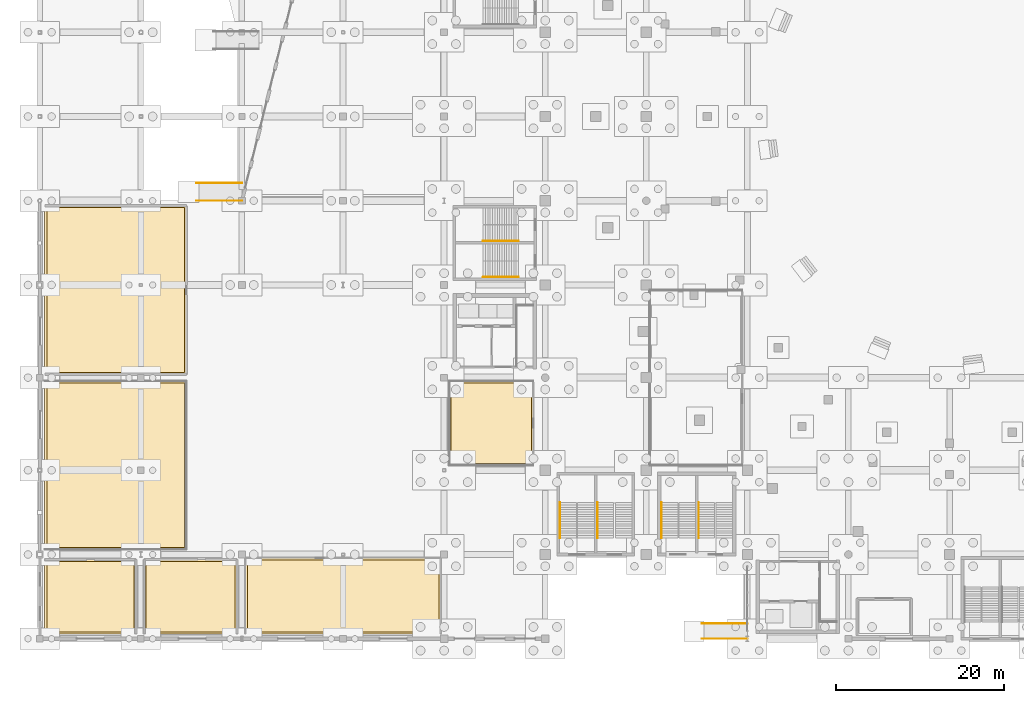
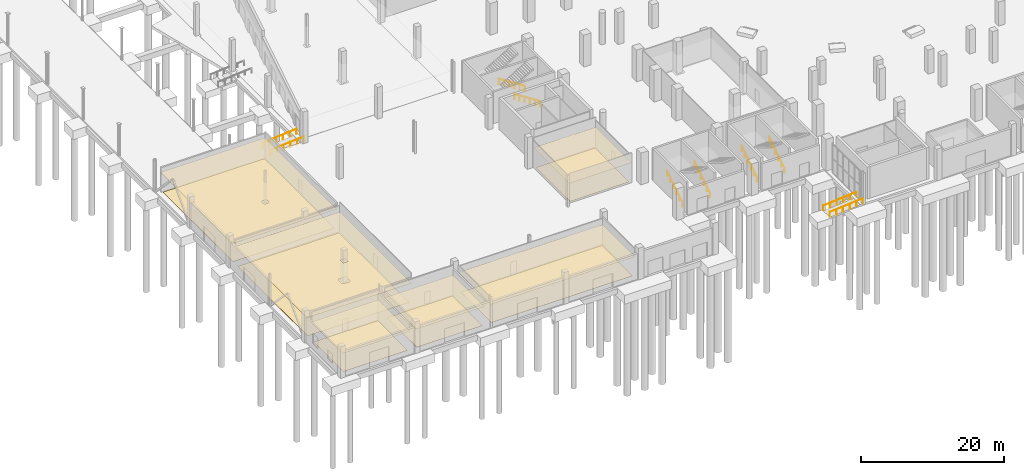
# One storey, part 63 of 70: 12 coverings, 10 railings.
"""IFC4 building model written with IfcOpenShell, lengths in metres."""

from ifc_helpers import new_model, si_unit, direction, frame, origin, origin_2d, place, context, subcontext, project, spatial, polyline, circle, outline, extrude, material, layer, layer_set, type_object, element, save


model = new_model("IFC4")

# Units and contexts
model_context = context("Model", 3, precision=1e-05, world=origin(), true_north=direction((0.0, 1.0)))
body_context = subcontext(model_context, "Body", "Model", "MODEL_VIEW")
ifc_project = project(units=[si_unit("LENGTHUNIT", "METRE"), si_unit("AREAUNIT", "SQUARE_METRE"), si_unit("VOLUMEUNIT", "CUBIC_METRE"), si_unit("PLANEANGLEUNIT", "RADIAN"), si_unit("MASSUNIT", "GRAM", prefix="KILO")], contexts=[model_context])

# Site, building, storey
site_placement = place(None, origin())
site = spatial("IfcSite", under=ifc_project, at=site_placement, CompositionType="ELEMENT")
building_placement = place(site_placement, origin())
building = spatial("IfcBuilding", under=site, at=building_placement, Name="Brinegate Civic Arena", CompositionType="ELEMENT")
storey_placement = place(building_placement, origin())
storey = spatial("IfcBuildingStorey", under=building, at=storey_placement, Name="L00", CompositionType="ELEMENT", Elevation=0.0)

# Coverings
ifc_material_1 = material(Name="Acoustic perforated aluminium ceiling", Category="aluminium")
ifc_layer_1 = layer(ifc_material_1, 0.02490234375, Name="Acoustic perforated aluminium ceiling")
ifc_layer_set_1 = layer_set([ifc_layer_1], Name="Acoustic perforated aluminium ceiling")
covering_type_1 = type_object("IfcCoveringType", Name="CEILING-ACOUSTIC-25", PredefinedType="CEILING", material=ifc_layer_set_1)
covering_1_placement = place(storey_placement, frame((0.0, 0.0, 3.324951171875)))
element("IfcCovering", 1, at=covering_1_placement, inside=storey, type_object=covering_type_1, Name="Acoustic Ceiling L00-013", PredefinedType="CEILING", context=body_context, shape_type="SweptSolid", body=[
    extrude(outline(polyline([(58.60400390625, 30.6201171875), (58.60595703125, 30.618896484375), (58.60791015625, 30.617919921875), (58.60888671875, 30.617919921875), (58.611083984375, 30.616943359375), (58.613037109375, 30.614990234375), (58.614013671875, 30.614013671875), (58.614990234375, 30.613037109375), (58.616943359375, 30.611083984375), (58.617919921875, 30.60888671875), (58.617919921875, 30.60791015625), (58.618896484375, 30.60595703125), (58.6201171875, 30.60400390625), (58.6201171875, 30.60205078125), (58.6201171875, 30.60009765625), (58.6201171875, 20.60009765625), (58.6201171875, 20.597900390625), (58.6201171875, 20.595947265625), (58.618896484375, 20.593994140625), (58.617919921875, 20.592041015625), (58.617919921875, 20.591064453125), (58.616943359375, 20.589111328125), (58.614990234375, 20.5869140625), (58.614013671875, 20.5859375), (58.613037109375, 20.5849609375), (58.611083984375, 20.5830078125), (58.60888671875, 20.58203125), (58.60791015625, 20.58203125), (58.60595703125, 20.5810546875), (58.60400390625, 20.580078125), (58.60205078125, 20.580078125), (58.60009765625, 20.580078125), (48.60009765625, 20.580078125), (48.597900390625, 20.580078125), (48.595947265625, 20.580078125), (48.593994140625, 20.5810546875), (48.592041015625, 20.58203125), (48.591064453125, 20.58203125), (48.589111328125, 20.5830078125), (48.5869140625, 20.5849609375), (48.5859375, 20.5859375), (48.5849609375, 20.5869140625), (48.5830078125, 20.589111328125), (48.58203125, 20.591064453125), (48.58203125, 20.592041015625), (48.5810546875, 20.593994140625), (48.580078125, 20.595947265625), (48.580078125, 20.597900390625), (48.580078125, 20.60009765625), (48.580078125, 30.60009765625), (48.580078125, 30.60205078125), (48.580078125, 30.60400390625), (48.5810546875, 30.60595703125), (48.58203125, 30.60791015625), (48.58203125, 30.60888671875), (48.5830078125, 30.611083984375), (48.5849609375, 30.613037109375), (48.5859375, 30.614013671875), (48.5869140625, 30.614990234375), (48.589111328125, 30.616943359375), (48.591064453125, 30.617919921875), (48.592041015625, 30.617919921875), (48.593994140625, 30.618896484375), (48.595947265625, 30.6201171875), (48.597900390625, 30.6201171875), (48.60009765625, 30.6201171875), (58.60009765625, 30.6201171875), (58.60205078125, 30.6201171875), (58.60400390625, 30.6201171875)])), origin(), (0.0, 0.0, 1.0), 0.025146484375),
])
covering_2_placement = place(storey_placement, frame((0.0, 0.0, 3.324951171875)))
element("IfcCovering", 2, at=covering_2_placement, inside=storey, type_object=covering_type_1, Name="Acoustic Ceiling L00-018", PredefinedType="CEILING", context=body_context, shape_type="SweptSolid", body=[
    extrude(outline(polyline([(23.404052734375, 9.419921875), (23.406005859375, 9.4189453125), (23.407958984375, 9.41796875), (23.408935546875, 9.41796875), (23.410888671875, 9.4169921875), (23.4130859375, 9.4150390625), (23.4140625, 9.4140625), (23.4150390625, 9.4130859375), (23.4169921875, 9.410888671875), (23.41796875, 9.408935546875), (23.41796875, 9.407958984375), (23.4189453125, 9.406005859375), (23.419921875, 9.404052734375), (23.419921875, 9.402099609375), (23.419921875, 9.39990234375), (23.419921875, 0.60009765625), (23.419921875, 0.597900390625), (23.419921875, 0.595947265625), (23.4189453125, 0.593994140625), (23.41796875, 0.592041015625), (23.41796875, 0.591064453125), (23.4169921875, 0.589111328125), (23.4150390625, 0.5869140625), (23.4140625, 0.5859375), (23.4130859375, 0.5849609375), (23.410888671875, 0.5830078125), (23.408935546875, 0.58203125), (23.407958984375, 0.58203125), (23.406005859375, 0.5810546875), (23.404052734375, 0.580078125), (23.402099609375, 0.580078125), (23.39990234375, 0.580078125), (12.39990234375, 0.580078125), (12.39794921875, 0.580078125), (12.39599609375, 0.580078125), (12.39404296875, 0.5810546875), (12.39208984375, 0.58203125), (12.39111328125, 0.58203125), (12.388916015625, 0.5830078125), (12.386962890625, 0.5849609375), (12.385986328125, 0.5859375), (12.385009765625, 0.5869140625), (12.383056640625, 0.589111328125), (12.382080078125, 0.591064453125), (12.382080078125, 0.592041015625), (12.381103515625, 0.593994140625), (12.3798828125, 0.595947265625), (12.3798828125, 0.597900390625), (12.3798828125, 0.60009765625), (12.3798828125, 9.39990234375), (12.3798828125, 9.402099609375), (12.3798828125, 9.404052734375), (12.381103515625, 9.406005859375), (12.382080078125, 9.407958984375), (12.382080078125, 9.408935546875), (12.383056640625, 9.410888671875), (12.385009765625, 9.4130859375), (12.385986328125, 9.4140625), (12.386962890625, 9.4150390625), (12.388916015625, 9.4169921875), (12.39111328125, 9.41796875), (12.39208984375, 9.41796875), (12.39404296875, 9.4189453125), (12.39599609375, 9.419921875), (12.39794921875, 9.419921875), (12.39990234375, 9.419921875), (23.39990234375, 9.419921875), (23.402099609375, 9.419921875), (23.404052734375, 9.419921875)])), origin(), (0.0, 0.0, 1.0), 0.025146484375),
])
covering_3_placement = place(storey_placement, frame((0.0, 0.0, 3.324951171875)))
element("IfcCovering", 3, at=covering_3_placement, inside=storey, type_object=covering_type_1, Name="Acoustic Ceiling L00-022", PredefinedType="CEILING", context=body_context, shape_type="SweptSolid", body=[
    extrude(outline(polyline([(47.6201171875, 0.597900390625), (47.6201171875, 0.595947265625), (47.618896484375, 0.593994140625), (47.617919921875, 0.592041015625), (47.617919921875, 0.591064453125), (47.616943359375, 0.589111328125), (47.614990234375, 0.5869140625), (47.614013671875, 0.5859375), (47.613037109375, 0.5849609375), (47.611083984375, 0.5830078125), (47.60888671875, 0.58203125), (47.60791015625, 0.58203125), (47.60595703125, 0.5810546875), (47.60400390625, 0.580078125), (47.60205078125, 0.580078125), (47.60009765625, 0.580078125), (24.39990234375, 0.580078125), (24.39794921875, 0.580078125), (24.39599609375, 0.580078125), (24.39404296875, 0.5810546875), (24.39208984375, 0.58203125), (24.39111328125, 0.58203125), (24.388916015625, 0.5830078125), (24.386962890625, 0.5849609375), (24.385986328125, 0.5859375), (24.385009765625, 0.5869140625), (24.383056640625, 0.589111328125), (24.382080078125, 0.591064453125), (24.382080078125, 0.592041015625), (24.381103515625, 0.593994140625), (24.3798828125, 0.595947265625), (24.3798828125, 0.597900390625), (24.3798828125, 0.60009765625), (24.3798828125, 9.590087890625), (24.409912109375, 9.590087890625), (24.409912109375, 9.6201171875), (47.590087890625, 9.6201171875), (47.590087890625, 9.590087890625), (47.6201171875, 9.590087890625), (47.6201171875, 0.60009765625), (47.6201171875, 0.597900390625)])), origin(), (0.0, 0.0, 1.0), 0.025146484375),
])
ifc_layer_2 = layer(ifc_material_1, 0.034912109375, Name="Acoustic perforated aluminium ceiling")
ifc_layer_set_2 = layer_set([ifc_layer_2], Name="Acoustic perforated aluminium ceiling")
covering_type_2 = type_object("IfcCoveringType", Name="CEILING-ACOUSTIC-35", PredefinedType="CEILING", material=ifc_layer_set_2)
covering_4_placement = place(storey_placement, frame((0.0, 0.0, 3.31494140625)))
element("IfcCovering", 4, at=covering_4_placement, inside=storey, type_object=covering_type_2, Name="Acoustic Ceiling L00-015", PredefinedType="CEILING", context=body_context, shape_type="SweptSolid", body=[
    extrude(outline(polyline([(17.404052734375, 30.6201171875), (17.406005859375, 30.618896484375), (17.407958984375, 30.617919921875), (17.408935546875, 30.617919921875), (17.410888671875, 30.616943359375), (17.4130859375, 30.614990234375), (17.4140625, 30.614013671875), (17.4150390625, 30.613037109375), (17.4169921875, 30.611083984375), (17.41796875, 30.60888671875), (17.41796875, 30.60791015625), (17.4189453125, 30.60595703125), (17.419921875, 30.60400390625), (17.419921875, 30.60205078125), (17.419921875, 30.60009765625), (17.419921875, 10.60009765625), (17.419921875, 10.597900390625), (17.419921875, 10.595947265625), (17.4189453125, 10.593994140625), (17.41796875, 10.592041015625), (17.41796875, 10.591064453125), (17.4169921875, 10.589111328125), (17.4150390625, 10.5869140625), (17.4140625, 10.5859375), (17.4130859375, 10.5849609375), (17.410888671875, 10.5830078125), (17.408935546875, 10.58203125), (17.407958984375, 10.58203125), (17.406005859375, 10.5810546875), (17.404052734375, 10.580078125), (17.402099609375, 10.580078125), (17.39990234375, 10.580078125), (0.60009765625, 10.580078125), (0.597900390625, 10.580078125), (0.595947265625, 10.580078125), (0.593994140625, 10.5810546875), (0.592041015625, 10.58203125), (0.591064453125, 10.58203125), (0.589111328125, 10.5830078125), (0.5869140625, 10.5849609375), (0.5859375, 10.5859375), (0.5849609375, 10.5869140625), (0.5830078125, 10.589111328125), (0.58203125, 10.591064453125), (0.58203125, 10.592041015625), (0.5810546875, 10.593994140625), (0.580078125, 10.595947265625), (0.580078125, 10.597900390625), (0.580078125, 10.60009765625), (0.580078125, 30.60009765625), (0.580078125, 30.60205078125), (0.580078125, 30.60400390625), (0.5810546875, 30.60595703125), (0.58203125, 30.60791015625), (0.58203125, 30.60888671875), (0.5830078125, 30.611083984375), (0.5849609375, 30.613037109375), (0.5859375, 30.614013671875), (0.5869140625, 30.614990234375), (0.589111328125, 30.616943359375), (0.591064453125, 30.617919921875), (0.592041015625, 30.617919921875), (0.593994140625, 30.618896484375), (0.595947265625, 30.6201171875), (0.597900390625, 30.6201171875), (0.60009765625, 30.6201171875), (11.590087890625, 30.6201171875), (11.590087890625, 30.590087890625), (12.409912109375, 30.590087890625), (12.409912109375, 30.6201171875), (17.39990234375, 30.6201171875), (17.402099609375, 30.6201171875), (17.404052734375, 30.6201171875)]), holes=[polyline([(12.409912109375, 20.409912109375), (11.590087890625, 20.409912109375), (11.590087890625, 19.590087890625), (12.409912109375, 19.590087890625), (12.409912109375, 20.409912109375)])]), origin(), (0.0, 0.0, 1.0), 0.03515625),
])
ifc_layer_3 = layer(ifc_material_1, 0.044921875, Name="Acoustic perforated aluminium ceiling")
ifc_layer_set_3 = layer_set([ifc_layer_3], Name="Acoustic perforated aluminium ceiling")
covering_type_3 = type_object("IfcCoveringType", Name="CEILING-BAFFLE-45", PredefinedType="CEILING", material=ifc_layer_set_3)
covering_5_placement = place(storey_placement, frame((0.0, 0.0, 3.304931640625)))
element("IfcCovering", 5, at=covering_5_placement, inside=storey, type_object=covering_type_3, Name="Acoustic Ceiling L00-016", PredefinedType="CEILING", context=body_context, shape_type="SweptSolid", body=[
    extrude(outline(polyline([(17.404052734375, 51.419921875), (17.406005859375, 51.4189453125), (17.407958984375, 51.41796875), (17.408935546875, 51.41796875), (17.410888671875, 51.4169921875), (17.4130859375, 51.4150390625), (17.4140625, 51.4140625), (17.4150390625, 51.4130859375), (17.4169921875, 51.410888671875), (17.41796875, 51.408935546875), (17.41796875, 51.407958984375), (17.4189453125, 51.406005859375), (17.419921875, 51.404052734375), (17.419921875, 51.402099609375), (17.419921875, 51.39990234375), (17.419921875, 31.39990234375), (17.419921875, 31.39794921875), (17.419921875, 31.39599609375), (17.4189453125, 31.39404296875), (17.41796875, 31.39208984375), (17.41796875, 31.39111328125), (17.4169921875, 31.388916015625), (17.4150390625, 31.386962890625), (17.4140625, 31.385986328125), (17.4130859375, 31.385009765625), (17.410888671875, 31.383056640625), (17.408935546875, 31.382080078125), (17.407958984375, 31.382080078125), (17.406005859375, 31.381103515625), (17.404052734375, 31.3798828125), (17.402099609375, 31.3798828125), (17.39990234375, 31.3798828125), (12.409912109375, 31.3798828125), (12.409912109375, 31.409912109375), (11.590087890625, 31.409912109375), (11.590087890625, 31.3798828125), (0.60009765625, 31.3798828125), (0.597900390625, 31.3798828125), (0.595947265625, 31.3798828125), (0.593994140625, 31.381103515625), (0.592041015625, 31.382080078125), (0.591064453125, 31.382080078125), (0.589111328125, 31.383056640625), (0.5869140625, 31.385009765625), (0.5859375, 31.385986328125), (0.5849609375, 31.386962890625), (0.5830078125, 31.388916015625), (0.58203125, 31.39111328125), (0.58203125, 31.39208984375), (0.5810546875, 31.39404296875), (0.580078125, 31.39599609375), (0.580078125, 31.39794921875), (0.580078125, 31.39990234375), (0.580078125, 51.39990234375), (0.580078125, 51.402099609375), (0.580078125, 51.404052734375), (0.5810546875, 51.406005859375), (0.58203125, 51.407958984375), (0.58203125, 51.408935546875), (0.5830078125, 51.410888671875), (0.5849609375, 51.4130859375), (0.5859375, 51.4140625), (0.5869140625, 51.4150390625), (0.589111328125, 51.4169921875), (0.591064453125, 51.41796875), (0.592041015625, 51.41796875), (0.593994140625, 51.4189453125), (0.595947265625, 51.419921875), (0.597900390625, 51.419921875), (0.60009765625, 51.419921875), (17.39990234375, 51.419921875), (17.402099609375, 51.419921875), (17.404052734375, 51.419921875)])), origin(), (0.0, 0.0, 1.0), 0.045166015625),
])
ifc_layer_4 = layer(ifc_material_1, 0.01806640625, Name="Acoustic perforated aluminium ceiling")
ifc_layer_set_4 = layer_set([ifc_layer_4], Name="Acoustic perforated aluminium ceiling")
covering_type_4 = type_object("IfcCoveringType", Name="CEILING-MOISTURE-18", PredefinedType="CEILING", material=ifc_layer_set_4)
covering_6_placement = place(storey_placement, frame((0.0, 0.0, 3.33203125)))
element("IfcCovering", 6, at=covering_6_placement, inside=storey, type_object=covering_type_4, Name="Acoustic Ceiling L00-017", PredefinedType="CEILING", context=body_context, shape_type="SweptSolid", body=[
    extrude(outline(polyline([(11.404052734375, 9.419921875), (11.406005859375, 9.4189453125), (11.407958984375, 9.41796875), (11.408935546875, 9.41796875), (11.410888671875, 9.4169921875), (11.4130859375, 9.4150390625), (11.4140625, 9.4140625), (11.4150390625, 9.4130859375), (11.4169921875, 9.410888671875), (11.41796875, 9.408935546875), (11.41796875, 9.407958984375), (11.4189453125, 9.406005859375), (11.419921875, 9.404052734375), (11.419921875, 9.402099609375), (11.419921875, 9.39990234375), (11.419921875, 0.60009765625), (11.419921875, 0.597900390625), (11.419921875, 0.595947265625), (11.4189453125, 0.593994140625), (11.41796875, 0.592041015625), (11.41796875, 0.591064453125), (11.4169921875, 0.589111328125), (11.4150390625, 0.5869140625), (11.4140625, 0.5859375), (11.4130859375, 0.5849609375), (11.410888671875, 0.5830078125), (11.408935546875, 0.58203125), (11.407958984375, 0.58203125), (11.406005859375, 0.5810546875), (11.404052734375, 0.580078125), (11.402099609375, 0.580078125), (11.39990234375, 0.580078125), (0.60009765625, 0.580078125), (0.597900390625, 0.580078125), (0.595947265625, 0.580078125), (0.593994140625, 0.5810546875), (0.592041015625, 0.58203125), (0.591064453125, 0.58203125), (0.589111328125, 0.5830078125), (0.5869140625, 0.5849609375), (0.5859375, 0.5859375), (0.5849609375, 0.5869140625), (0.5830078125, 0.589111328125), (0.58203125, 0.591064453125), (0.58203125, 0.592041015625), (0.5810546875, 0.593994140625), (0.580078125, 0.595947265625), (0.580078125, 0.597900390625), (0.580078125, 0.60009765625), (0.580078125, 9.39990234375), (0.580078125, 9.402099609375), (0.580078125, 9.404052734375), (0.5810546875, 9.406005859375), (0.58203125, 9.407958984375), (0.58203125, 9.408935546875), (0.5830078125, 9.410888671875), (0.5849609375, 9.4130859375), (0.5859375, 9.4140625), (0.5869140625, 9.4150390625), (0.589111328125, 9.4169921875), (0.591064453125, 9.41796875), (0.592041015625, 9.41796875), (0.593994140625, 9.4189453125), (0.595947265625, 9.419921875), (0.597900390625, 9.419921875), (0.60009765625, 9.419921875), (11.39990234375, 9.419921875), (11.402099609375, 9.419921875), (11.404052734375, 9.419921875)])), origin(), (0.0, 0.0, 1.0), 0.01806640625),
])
ifc_material_2 = material(Name="Polished coral terrazzo flooring")
ifc_layer_5 = layer(ifc_material_2, 0.013916015625, Name="Polished coral terrazzo flooring")
ifc_layer_set_5 = layer_set([ifc_layer_5], Name="Polished coral terrazzo flooring")
covering_type_5 = type_object("IfcCoveringType", Name="FLOORING-ACOUSTIC-14", PredefinedType="FLOORING", material=ifc_layer_set_5)
covering_7_placement = place(storey_placement, origin())
element("IfcCovering", 7, at=covering_7_placement, inside=storey, type_object=covering_type_5, Name="Flooring L00-015", PredefinedType="FLOORING", context=body_context, shape_type="SweptSolid", body=[
    extrude(outline(polyline([(0.830078125, 30.3701171875), (11.470947265625, 30.3701171875), (11.471923828125, 30.3701171875), (11.493896484375, 30.35888671875), (11.51708984375, 30.35107421875), (11.541015625, 30.344970703125), (11.56494140625, 30.341064453125), (11.590087890625, 30.340087890625), (12.409912109375, 30.340087890625), (12.43505859375, 30.341064453125), (12.458984375, 30.344970703125), (12.48291015625, 30.35107421875), (12.506103515625, 30.35888671875), (12.528076171875, 30.3701171875), (12.529052734375, 30.3701171875), (17.169921875, 30.3701171875), (17.169921875, 10.830078125), (0.830078125, 10.830078125), (0.830078125, 30.3701171875)]), holes=[polyline([(12.659912109375, 20.409912109375), (12.658935546875, 20.43505859375), (12.655029296875, 20.458984375), (12.64892578125, 20.48291015625), (12.64111328125, 20.506103515625), (12.6298828125, 20.528076171875), (12.617919921875, 20.549072265625), (12.60302734375, 20.569091796875), (12.5869140625, 20.5869140625), (12.569091796875, 20.60302734375), (12.549072265625, 20.617919921875), (12.528076171875, 20.6298828125), (12.506103515625, 20.64111328125), (12.48291015625, 20.64892578125), (12.458984375, 20.655029296875), (12.43505859375, 20.658935546875), (12.409912109375, 20.659912109375), (11.590087890625, 20.659912109375), (11.56494140625, 20.658935546875), (11.541015625, 20.655029296875), (11.51708984375, 20.64892578125), (11.493896484375, 20.64111328125), (11.471923828125, 20.6298828125), (11.450927734375, 20.617919921875), (11.430908203125, 20.60302734375), (11.4130859375, 20.5869140625), (11.39697265625, 20.569091796875), (11.382080078125, 20.549072265625), (11.3701171875, 20.528076171875), (11.35888671875, 20.506103515625), (11.35107421875, 20.48291015625), (11.344970703125, 20.458984375), (11.341064453125, 20.43505859375), (11.340087890625, 20.409912109375), (11.340087890625, 19.590087890625), (11.341064453125, 19.56494140625), (11.344970703125, 19.541015625), (11.35107421875, 19.51708984375), (11.35888671875, 19.493896484375), (11.3701171875, 19.471923828125), (11.382080078125, 19.450927734375), (11.39697265625, 19.430908203125), (11.4130859375, 19.4130859375), (11.430908203125, 19.39697265625), (11.450927734375, 19.382080078125), (11.471923828125, 19.3701171875), (11.493896484375, 19.35888671875), (11.51708984375, 19.35107421875), (11.541015625, 19.344970703125), (11.56494140625, 19.341064453125), (11.590087890625, 19.340087890625), (12.409912109375, 19.340087890625), (12.43505859375, 19.341064453125), (12.458984375, 19.344970703125), (12.48291015625, 19.35107421875), (12.506103515625, 19.35888671875), (12.528076171875, 19.3701171875), (12.549072265625, 19.382080078125), (12.569091796875, 19.39697265625), (12.5869140625, 19.4130859375), (12.60302734375, 19.430908203125), (12.617919921875, 19.450927734375), (12.6298828125, 19.471923828125), (12.64111328125, 19.493896484375), (12.64892578125, 19.51708984375), (12.655029296875, 19.541015625), (12.658935546875, 19.56494140625), (12.659912109375, 19.590087890625), (12.659912109375, 20.409912109375)])]), origin(), (0.0, 0.0, 1.0), 0.013916015625),
])
ifc_material_3 = material(Name="Slip-resistant porcelain tile flooring")
ifc_layer_6 = layer(ifc_material_3, 0.02001953125, Name="Slip-resistant porcelain tile flooring")
ifc_layer_set_6 = layer_set([ifc_layer_6], Name="Slip-resistant porcelain tile flooring")
covering_type_6 = type_object("IfcCoveringType", Name="FLOORING-PORCELAIN-20", PredefinedType="FLOORING", material=ifc_layer_set_6)
covering_8_placement = place(storey_placement, origin())
element("IfcCovering", 8, at=covering_8_placement, inside=storey, type_object=covering_type_6, Name="Flooring L00-017", PredefinedType="FLOORING", context=body_context, shape_type="SweptSolid", body=[
    extrude(outline(polyline([(0.830078125, 9.169921875), (11.169921875, 9.169921875), (11.169921875, 0.830078125), (0.830078125, 0.830078125), (0.830078125, 9.169921875)])), origin(), (0.0, 0.0, 1.0), 0.02001953125),
])
covering_9_placement = place(storey_placement, origin())
element("IfcCovering", 9, at=covering_9_placement, inside=storey, type_object=covering_type_6, Name="Flooring L00-018", PredefinedType="FLOORING", context=body_context, shape_type="SweptSolid", body=[
    extrude(outline(polyline([(12.6298828125, 9.169921875), (23.169921875, 9.169921875), (23.169921875, 0.830078125), (12.6298828125, 0.830078125), (12.6298828125, 9.169921875)])), origin(), (0.0, 0.0, 1.0), 0.02001953125),
])
ifc_layer_7 = layer(ifc_material_2, 0.028076171875, Name="Polished coral terrazzo flooring")
ifc_layer_set_7 = layer_set([ifc_layer_7], Name="Polished coral terrazzo flooring")
covering_type_7 = type_object("IfcCoveringType", Name="FLOORING-TERRAZZO-28", PredefinedType="FLOORING", material=ifc_layer_set_7)
covering_10_placement = place(storey_placement, origin())
element("IfcCovering", 10, at=covering_10_placement, inside=storey, type_object=covering_type_7, Name="Flooring L00-013", PredefinedType="FLOORING", context=body_context, shape_type="SweptSolid", body=[
    extrude(outline(polyline([(48.830078125, 20.830078125), (48.830078125, 30.3701171875), (58.3701171875, 30.3701171875), (58.3701171875, 20.830078125), (48.830078125, 20.830078125)])), origin(), (0.0, 0.0, 1.0), 0.028076171875),
])
covering_11_placement = place(storey_placement, origin())
element("IfcCovering", 11, at=covering_11_placement, inside=storey, type_object=covering_type_7, Name="Flooring L00-016", PredefinedType="FLOORING", context=body_context, shape_type="SweptSolid", body=[
    extrude(outline(polyline([(0.830078125, 31.6298828125), (0.830078125, 51.169921875), (17.169921875, 51.169921875), (17.169921875, 31.6298828125), (12.529052734375, 31.6298828125), (12.528076171875, 31.6298828125), (12.506103515625, 31.64111328125), (12.48291015625, 31.64892578125), (12.458984375, 31.655029296875), (12.43505859375, 31.658935546875), (12.409912109375, 31.659912109375), (11.590087890625, 31.659912109375), (11.56494140625, 31.658935546875), (11.541015625, 31.655029296875), (11.51708984375, 31.64892578125), (11.493896484375, 31.64111328125), (11.471923828125, 31.6298828125), (11.470947265625, 31.6298828125), (0.830078125, 31.6298828125)]), holes=[polyline([(12.43505859375, 42.18505859375), (12.43408203125, 42.2099609375), (12.429931640625, 42.23388671875), (12.424072265625, 42.258056640625), (12.416015625, 42.281005859375), (12.405029296875, 42.302978515625), (12.39306640625, 42.323974609375), (12.3779296875, 42.343994140625), (12.362060546875, 42.362060546875), (12.343994140625, 42.3779296875), (12.323974609375, 42.39306640625), (12.302978515625, 42.405029296875), (12.281005859375, 42.416015625), (12.258056640625, 42.424072265625), (12.23388671875, 42.429931640625), (12.2099609375, 42.43408203125), (12.18505859375, 42.43505859375), (11.81494140625, 42.43505859375), (11.7900390625, 42.43408203125), (11.76611328125, 42.429931640625), (11.741943359375, 42.424072265625), (11.718994140625, 42.416015625), (11.697021484375, 42.405029296875), (11.676025390625, 42.39306640625), (11.656005859375, 42.3779296875), (11.637939453125, 42.362060546875), (11.6220703125, 42.343994140625), (11.60693359375, 42.323974609375), (11.594970703125, 42.302978515625), (11.583984375, 42.281005859375), (11.575927734375, 42.258056640625), (11.570068359375, 42.23388671875), (11.56591796875, 42.2099609375), (11.56494140625, 42.18505859375), (11.56494140625, 41.81494140625), (11.56591796875, 41.7900390625), (11.570068359375, 41.76611328125), (11.575927734375, 41.741943359375), (11.583984375, 41.718994140625), (11.594970703125, 41.697021484375), (11.60693359375, 41.676025390625), (11.6220703125, 41.656005859375), (11.637939453125, 41.637939453125), (11.656005859375, 41.6220703125), (11.676025390625, 41.60693359375), (11.697021484375, 41.594970703125), (11.718994140625, 41.583984375), (11.741943359375, 41.575927734375), (11.76611328125, 41.570068359375), (11.7900390625, 41.56591796875), (11.81494140625, 41.56494140625), (12.18505859375, 41.56494140625), (12.2099609375, 41.56591796875), (12.23388671875, 41.570068359375), (12.258056640625, 41.575927734375), (12.281005859375, 41.583984375), (12.302978515625, 41.594970703125), (12.323974609375, 41.60693359375), (12.343994140625, 41.6220703125), (12.362060546875, 41.637939453125), (12.3779296875, 41.656005859375), (12.39306640625, 41.676025390625), (12.405029296875, 41.697021484375), (12.416015625, 41.718994140625), (12.424072265625, 41.741943359375), (12.429931640625, 41.76611328125), (12.43408203125, 41.7900390625), (12.43505859375, 41.81494140625), (12.43505859375, 42.18505859375)])]), origin(), (0.0, 0.0, 1.0), 0.028076171875),
])
covering_12_placement = place(storey_placement, origin())
element("IfcCovering", 12, at=covering_12_placement, inside=storey, type_object=covering_type_7, Name="Flooring L00-022", PredefinedType="FLOORING", context=body_context, shape_type="SweptSolid", body=[
    extrude(outline(polyline([(24.6298828125, 0.830078125), (24.6298828125, 9.3701171875), (47.3701171875, 9.3701171875), (47.3701171875, 0.830078125), (24.6298828125, 0.830078125)])), origin(), (0.0, 0.0, 1.0), 0.028076171875),
])

# Railings
ifc_material_4 = material(Name="Architectural stainless steel balustrade", Category="steel")
railing_type_1 = type_object("IfcRailingType", Name="RAIL-EXT-HANDRAIL-920", PredefinedType="HANDRAIL", material=ifc_material_4)
for number, where, name in (
    (13, (18.60009765625, 52.0, -0.449951171875), "Accessible Ramp Handrail RP-01-A"),
    (14, (18.60009765625, 54.10009765625, -0.449951171875), "Accessible Ramp Handrail RP-01-B"),
    (15, (78.60009765625, 0.0, -0.449951171875), "Accessible Ramp Handrail RP-03-A"),
    (16, (78.60009765625, 1.800048828125, -0.449951171875), "Accessible Ramp Handrail RP-03-B"),
):
    element("IfcRailing", number, at=place(storey_placement, frame(where)), inside=storey, type_object=railing_type_1, Name=name, PredefinedType="HANDRAIL", context=body_context, shape_type="SweptSolid", body=[
        extrude(circle(Radius=0.02392578125, at=origin_2d()), frame((0.00146484375, 0.0, 0.89599609375), z_axis=(0.996546379678, 0.0, 0.083038022323), x_axis=(0.0, 1.0, 0.0)), (0.0, 0.0, 1.0), 5.41552734375),
        extrude(circle(Radius=0.02099609375, at=origin_2d()), origin(), (0.0, 0.0, 1.0), 0.869873046875),
        extrude(circle(Radius=0.02099609375, at=origin_2d()), frame((1.080078125, 0.0, 0.090087890625)), (0.0, 0.0, 1.0), 0.869873046875),
        extrude(circle(Radius=0.02099609375, at=origin_2d()), frame((2.159912109375, 0.0, 0.179931640625)), (0.0, 0.0, 1.0), 0.869873046875),
        extrude(circle(Radius=0.02099609375, at=origin_2d()), frame((3.239990234375, 0.0, 0.27001953125)), (0.0, 0.0, 1.0), 0.869873046875),
        extrude(circle(Radius=0.02099609375, at=origin_2d()), frame((4.31982421875, 0.0, 0.35986328125)), (0.0, 0.0, 1.0), 0.869873046875),
        extrude(circle(Radius=0.02099609375, at=origin_2d()), frame((5.39990234375, 0.0, 0.449951171875)), (0.0, 0.0, 1.0), 0.869873046875),
    ])
railing_type_2 = type_object("IfcRailingType", Name="RAIL-STAIR-HANDRAIL-900", PredefinedType="HANDRAIL", material=ifc_material_4)
for number, where, name in (
    (17, (61.77490234375, 11.969970703125, 0.0), "Stair Pitch Handrail ST-02A L00"),
    (18, (66.22509765625, 11.969970703125, 0.0), "Stair Pitch Handrail ST-02B L00"),
):
    element("IfcRailing", number, at=place(storey_placement, frame(where)), inside=storey, type_object=railing_type_2, Name=name, PredefinedType="HANDRAIL", context=body_context, shape_type="SweptSolid", body=[
        extrude(circle(Radius=0.02392578125, at=origin_2d()), frame((0.0, 0.001220703125, 0.876708984375), z_axis=(0.0, 0.841180064094, 0.540755119968), x_axis=(-1.0, 0.0, 0.0)), (0.0, 0.0, 1.0), 4.989990234375),
        extrude(circle(Radius=0.02099609375, at=origin_2d()), origin(), (0.0, 0.0, 1.0), 0.849853515625),
        extrude(circle(Radius=0.02099609375, at=origin_2d()), frame((0.0, 0.840087890625, 0.5400390625)), (0.0, 0.0, 1.0), 0.849853515625),
        extrude(circle(Radius=0.02099609375, at=origin_2d()), frame((0.0, 1.679931640625, 1.080078125)), (0.0, 0.0, 1.0), 0.849853515625),
        extrude(circle(Radius=0.02099609375, at=origin_2d()), frame((0.0, 2.52001953125, 1.619873046875)), (0.0, 0.0, 1.0), 0.849853515625),
        extrude(circle(Radius=0.02099609375, at=origin_2d()), frame((0.0, 3.35986328125, 2.159912109375)), (0.0, 0.0, 1.0), 0.849853515625),
        extrude(circle(Radius=0.02099609375, at=origin_2d()), frame((0.0, 4.199951171875, 2.699951171875)), (0.0, 0.0, 1.0), 0.849853515625),
    ])
for number, where, name in (
    (19, (52.6298828125, 42.925048828125, 2.699951171875), "Stair Pitch Handrail ST-08A L00"),
    (20, (52.6298828125, 47.22509765625, 2.699951171875), "Stair Pitch Handrail ST-08B L00"),
):
    element("IfcRailing", number, at=place(storey_placement, frame(where)), inside=storey, type_object=railing_type_2, Name=name, PredefinedType="HANDRAIL", context=body_context, shape_type="SweptSolid", body=[
        extrude(circle(Radius=0.02392578125, at=origin_2d()), frame((0.001220703125, 0.0, 0.875), z_axis=(0.841194361566, 0.0, -0.540732878665), x_axis=(0.0, 1.0, 0.0)), (0.0, 0.0, 1.0), 4.990234375),
        extrude(circle(Radius=0.02099609375, at=origin_2d()), origin(), (0.0, 0.0, 1.0), 0.849853515625),
        extrude(circle(Radius=0.02099609375, at=origin_2d()), frame((0.840087890625, 0.0, -0.5400390625)), (0.0, 0.0, 1.0), 0.849853515625),
        extrude(circle(Radius=0.02099609375, at=origin_2d()), frame((1.68017578125, 0.0, -1.080078125)), (0.0, 0.0, 1.0), 0.849853515625),
        extrude(circle(Radius=0.02099609375, at=origin_2d()), frame((2.52001953125, 0.0, -1.619873046875)), (0.0, 0.0, 1.0), 0.849853515625),
        extrude(circle(Radius=0.02099609375, at=origin_2d()), frame((3.360107421875, 0.0, -2.159912109375)), (0.0, 0.0, 1.0), 0.849853515625),
        extrude(circle(Radius=0.02099609375, at=origin_2d()), frame((4.2001953125, 0.0, -2.699951171875)), (0.0, 0.0, 1.0), 0.849853515625),
    ])
for number, where, name in (
    (21, (73.824951171875, 11.969970703125, 0.0), "Stair Pitch Handrail ST-12A L00"),
    (22, (78.22509765625, 11.969970703125, 0.0), "Stair Pitch Handrail ST-12B L00"),
):
    element("IfcRailing", number, at=place(storey_placement, frame(where)), inside=storey, type_object=railing_type_2, Name=name, PredefinedType="HANDRAIL", context=body_context, shape_type="SweptSolid", body=[
        extrude(circle(Radius=0.02392578125, at=origin_2d()), frame((0.0, 0.001220703125, 0.876708984375), z_axis=(0.0, 0.841180064094, 0.540755119968), x_axis=(-1.0, 0.0, 0.0)), (0.0, 0.0, 1.0), 4.989990234375),
        extrude(circle(Radius=0.02099609375, at=origin_2d()), origin(), (0.0, 0.0, 1.0), 0.849853515625),
        extrude(circle(Radius=0.02099609375, at=origin_2d()), frame((0.0, 0.840087890625, 0.5400390625)), (0.0, 0.0, 1.0), 0.849853515625),
        extrude(circle(Radius=0.02099609375, at=origin_2d()), frame((0.0, 1.679931640625, 1.080078125)), (0.0, 0.0, 1.0), 0.849853515625),
        extrude(circle(Radius=0.02099609375, at=origin_2d()), frame((0.0, 2.52001953125, 1.619873046875)), (0.0, 0.0, 1.0), 0.849853515625),
        extrude(circle(Radius=0.02099609375, at=origin_2d()), frame((0.0, 3.35986328125, 2.159912109375)), (0.0, 0.0, 1.0), 0.849853515625),
        extrude(circle(Radius=0.02099609375, at=origin_2d()), frame((0.0, 4.199951171875, 2.699951171875)), (0.0, 0.0, 1.0), 0.849853515625),
    ])

save(model, "model.ifc")
